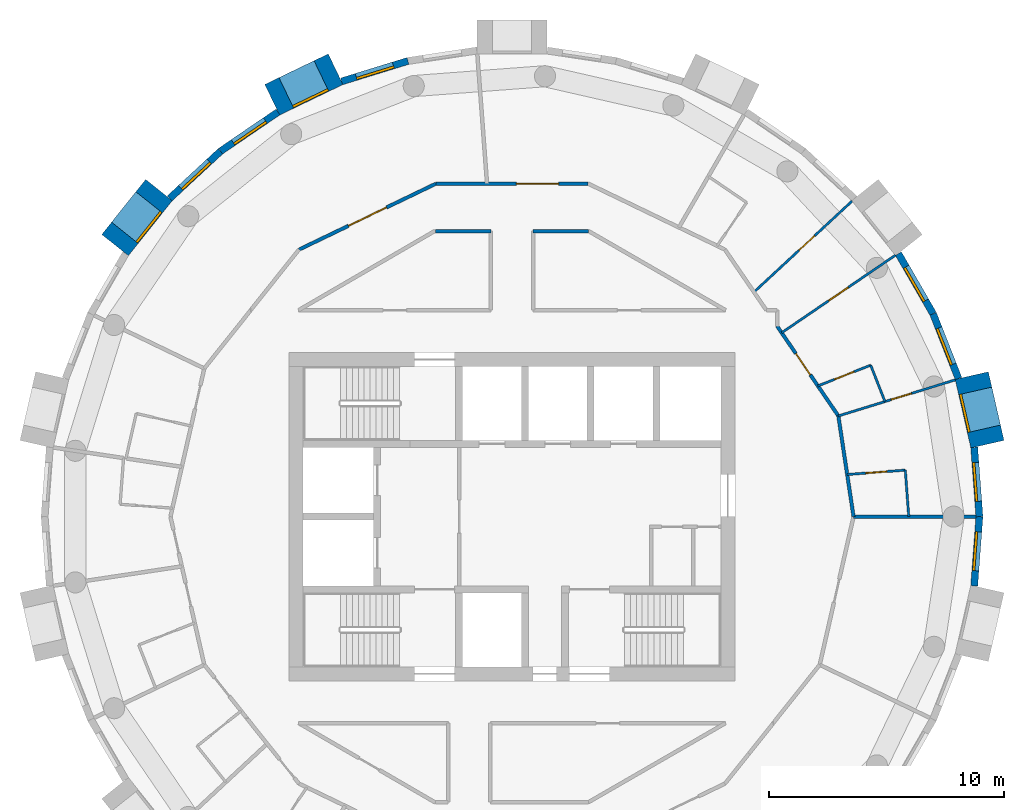
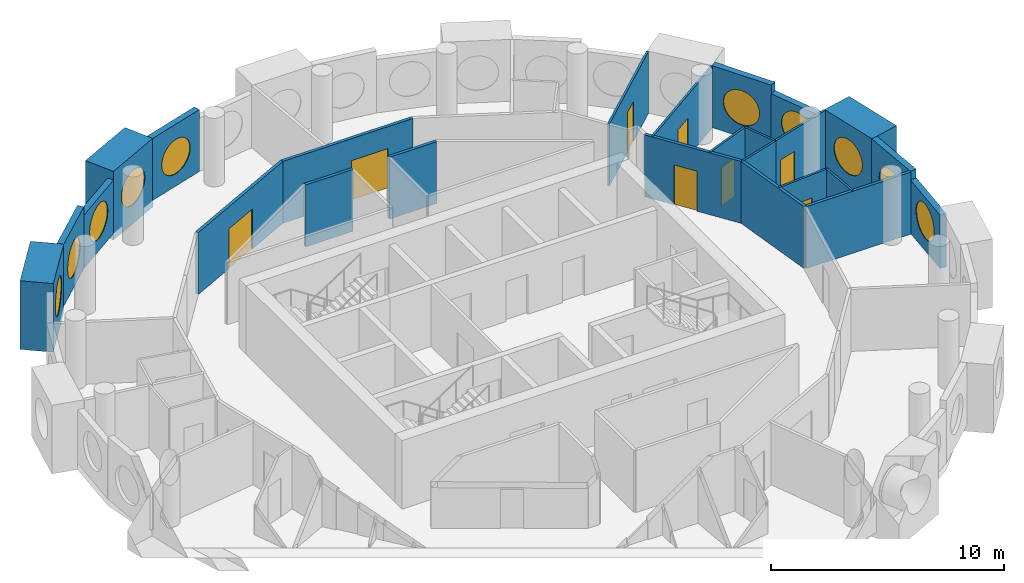
# One storey, part 9 of 12: 25 walls, 10 windows, 8 doors, 18 openings.
"""IFC4 building model written with IfcOpenShell, lengths in metres."""

from ifc_helpers import new_model, si_unit, direction, frame, frame_2d, origin, origin_2d, place, context, subcontext, project, spatial, rectangle, circle, extrude, material, layer, layer_set, type_object, element, fill, save


model = new_model("IFC4")

# Units and contexts
model_context = context("Model", 3, precision=1e-05, world=origin(), true_north=direction((0.0, 1.0)))
body_context = subcontext(model_context, "Body", "Model", "MODEL_VIEW")
ifc_project = project(units=[si_unit("LENGTHUNIT", "METRE"), si_unit("AREAUNIT", "SQUARE_METRE"), si_unit("VOLUMEUNIT", "CUBIC_METRE"), si_unit("PLANEANGLEUNIT", "RADIAN"), si_unit("MASSUNIT", "GRAM", prefix="KILO")], contexts=[model_context])

# Site, building, storey
site_placement = place(None, origin())
site = spatial("IfcSite", under=ifc_project, at=site_placement, CompositionType="ELEMENT")
building_placement = place(site_placement, origin())
building = spatial("IfcBuilding", under=site, at=building_placement, Name="Tracery Tower", CompositionType="ELEMENT")
storey_placement = place(building_placement, frame((0.0, 0.0, 287.39990234375)))
storey = spatial("IfcBuildingStorey", under=building, at=storey_placement, Name="L74", CompositionType="ELEMENT", Elevation=287.39990234375)

# Wall, opening, window
ifc_material_1 = material(Name="Precast concrete C50/60", Category="concrete")
ifc_layer_1 = layer(ifc_material_1, 1.449951171875)
ifc_layer_set_1 = layer_set([ifc_layer_1], Name="Deep-set bay unit 3000 x 3600, slab edge 350")
wall_type_1 = type_object("IfcWallType", Name="Deep-set bay unit 3000 x 3600, slab edge 350", PredefinedType="ELEMENTEDWALL", material=ifc_layer_set_1)
wall_1_placement = place(storey_placement, frame((20.262451171875, 3.086181640625, -0.349853515625), z_axis=(0.0, 0.0, 1.0), x_axis=(-0.222570682856, 0.974916555985, 0.0)))
wall_1 = element("IfcWall", 1, at=wall_1_placement, inside=storey, type_object=wall_type_1, Name="Deep-set bay unit 2 at L74", PredefinedType="ELEMENTEDWALL", context=body_context, shape_type="SweptSolid", body=[
    extrude(rectangle(XDim=3.0, YDim=1.449951171875, at=frame_2d((1.5, 0.0))), origin(), (0.0, 0.0, 1.0), 3.599853515625),
])
opening_1_placement = place(wall_1_placement, frame((1.5, 0.0, 1.89990234375)))
opening_1 = element("IfcOpeningElement", 2, at=opening_1_placement, cuts=wall_1, Name="Opening WN1", PredefinedType="OPENING", context=body_context, shape_type="SweptSolid", body=[
    extrude(circle(Radius=0.9000244140625, at=origin_2d()), frame((0.0, 0.73486328125, 0.0), z_axis=(0.0, -1.0, 0.0), x_axis=(1.0, 0.0, 0.0)), (0.0, 0.0, 1.0), 1.469970703125),
])
ifc_material_2 = material(Name="Aluminium frame with tinted double glazing", Category="aluminium")
window_type = type_object("IfcWindowType", Name="Round window 1800", PartitioningType="SINGLE_PANEL", PredefinedType="WINDOW", material=ifc_material_2)
window_1_placement = place(opening_1_placement, origin())
window_1 = element("IfcWindow", 3, at=window_1_placement, inside=storey, type_object=window_type, Name="Round window 2 at L74", OverallHeight=1.800048828125, OverallWidth=1.800048828125, PartitioningType="SINGLE_PANEL", PredefinedType="WINDOW", context=body_context, shape_type="SweptSolid", body=[
    extrude(circle(Radius=0.9000244140625, at=origin_2d()), frame((0.0, 0.69482421875, 0.0), z_axis=(0.0, -1.0, 0.0), x_axis=(1.0, 0.0, 0.0)), (0.0, 0.0, 1.0), 0.10009765625),
])
fill(opening_1, window_1)

wall_2_placement = place(storey_placement, frame((-7.517578125, 19.067626953125, -0.349853515625), z_axis=(0.0, 0.0, 1.0), x_axis=(-0.900953362039, -0.433915935904, 0.0)))
wall_2 = element("IfcWall", 4, at=wall_2_placement, inside=storey, type_object=wall_type_1, Name="Deep-set bay unit 14 at L74", PredefinedType="ELEMENTEDWALL", context=body_context, shape_type="SweptSolid", body=[
    extrude(rectangle(XDim=3.0, YDim=1.449951171875, at=frame_2d((1.5, 0.0))), origin(), (0.0, 0.0, 1.0), 3.599853515625),
])
opening_2_placement = place(wall_2_placement, frame((1.5, 0.0, 1.89990234375)))
opening_2 = element("IfcOpeningElement", 5, at=opening_2_placement, cuts=wall_2, Name="Opening WN1", PredefinedType="OPENING", context=body_context, shape_type="SweptSolid", body=[
    extrude(circle(Radius=0.9000244140625, at=origin_2d()), frame((0.0, 0.73486328125, 0.0), z_axis=(0.0, -1.0, 0.0), x_axis=(1.0, 0.0, 0.0)), (0.0, 0.0, 1.0), 1.469970703125),
])
window_2_placement = place(opening_2_placement, origin())
window_2 = element("IfcWindow", 6, at=window_2_placement, inside=storey, type_object=window_type, Name="Round window 14 at L74", OverallHeight=1.800048828125, OverallWidth=1.800048828125, PartitioningType="SINGLE_PANEL", PredefinedType="WINDOW", context=body_context, shape_type="SweptSolid", body=[
    extrude(circle(Radius=0.9000244140625, at=origin_2d()), frame((0.0, 0.69482421875, 0.0), z_axis=(0.0, -1.0, 0.0), x_axis=(1.0, 0.0, 0.0)), (0.0, 0.0, 1.0), 0.10009765625),
])
fill(opening_2, window_2)

wall_3_placement = place(storey_placement, frame((-15.046142578125, 13.91748046875, -0.349853515625), z_axis=(0.0, 0.0, 1.0), x_axis=(-0.623523286312, -0.781804778335, 0.0)))
wall_3 = element("IfcWall", 7, at=wall_3_placement, inside=storey, type_object=wall_type_1, Name="Deep-set bay unit 17 at L74", PredefinedType="ELEMENTEDWALL", context=body_context, shape_type="SweptSolid", body=[
    extrude(rectangle(XDim=3.0, YDim=1.449951171875, at=frame_2d((1.5, 0.0))), origin(), (0.0, 0.0, 1.0), 3.599853515625),
])
opening_3_placement = place(wall_3_placement, frame((1.5, 0.0, 1.89990234375)))
opening_3 = element("IfcOpeningElement", 8, at=opening_3_placement, cuts=wall_3, Name="Opening WN1", PredefinedType="OPENING", context=body_context, shape_type="SweptSolid", body=[
    extrude(circle(Radius=0.9000244140625, at=origin_2d()), frame((0.0, 0.73486328125, 0.0), z_axis=(0.0, -1.0, 0.0), x_axis=(1.0, 0.0, 0.0)), (0.0, 0.0, 1.0), 1.469970703125),
])
window_3_placement = place(opening_3_placement, origin())
window_3 = element("IfcWindow", 9, at=window_3_placement, inside=storey, type_object=window_type, Name="Round window 17 at L74", OverallHeight=1.800048828125, OverallWidth=1.800048828125, PartitioningType="SINGLE_PANEL", PredefinedType="WINDOW", context=body_context, shape_type="SweptSolid", body=[
    extrude(circle(Radius=0.9000244140625, at=origin_2d()), frame((0.0, 0.69482421875, 0.0), z_axis=(0.0, -1.0, 0.0), x_axis=(1.0, 0.0, 0.0)), (0.0, 0.0, 1.0), 0.10009765625),
])
fill(opening_3, window_3)

ifc_material_3 = material(Name="Precast concrete C50/60", Category="concrete")
ifc_layer_2 = layer(ifc_material_3, 0.300048828125)
ifc_layer_set_2 = layer_set([ifc_layer_2], Name="Facade panel 3000 x 2800")
wall_type_2 = type_object("IfcWallType", Name="Facade panel 3000 x 2800", PredefinedType="SOLIDWALL", material=ifc_layer_set_2)
wall_4_placement = place(storey_placement, frame((19.03125, 5.88623046875, 0.0), z_axis=(0.0, 0.0, 1.0), x_axis=(-0.365343821297, 0.930872650925, 0.0)))
wall_4 = element("IfcWall", 10, at=wall_4_placement, inside=storey, type_object=wall_type_2, Name="Facade panel 3 at L74", PredefinedType="SOLIDWALL", context=body_context, shape_type="SweptSolid", body=[
    extrude(rectangle(XDim=2.96240234375, YDim=0.300048828125, at=frame_2d((1.481201171875, 0.0))), origin(), (0.0, 0.0, 1.0), 2.800048828125),
])
opening_4_placement = place(wall_4_placement, frame((1.48095703125, 0.0, 1.5498046875)))
opening_4 = element("IfcOpeningElement", 11, at=opening_4_placement, cuts=wall_4, Name="Opening WN1", PredefinedType="OPENING", context=body_context, shape_type="SweptSolid", body=[
    extrude(circle(Radius=0.9000244140625, at=origin_2d()), frame((0.0, 0.159912109375, 0.0), z_axis=(0.0, -1.0, 0.0), x_axis=(1.0, 0.0, 0.0)), (0.0, 0.0, 1.0), 0.320068359375),
])
window_4_placement = place(opening_4_placement, origin())
window_4 = element("IfcWindow", 12, at=window_4_placement, inside=storey, type_object=window_type, Name="Round window 3 at L74", OverallHeight=1.800048828125, OverallWidth=1.800048828125, PartitioningType="SINGLE_PANEL", PredefinedType="WINDOW", context=body_context, shape_type="SweptSolid", body=[
    extrude(circle(Radius=0.9000244140625, at=origin_2d()), frame((0.0, 0.1201171875, 0.0), z_axis=(0.0, -1.0, 0.0), x_axis=(1.0, 0.0, 0.0)), (0.0, 0.0, 1.0), 0.10009765625),
])
fill(opening_4, window_4)

wall_5_placement = place(storey_placement, frame((-9.9736328125, 17.244140625, 0.0), z_axis=(0.0, 0.0, 1.0), x_axis=(-0.826236061068, -0.563324037646, 0.0)))
wall_5 = element("IfcWall", 13, at=wall_5_placement, inside=storey, type_object=wall_type_2, Name="Facade panel 15 at L74", PredefinedType="SOLIDWALL", context=body_context, shape_type="SweptSolid", body=[
    extrude(rectangle(XDim=2.962158203125, YDim=0.300048828125, at=frame_2d((1.48095703125, 0.0))), origin(), (0.0, 0.0, 1.0), 2.800048828125),
])
opening_5_placement = place(wall_5_placement, frame((1.48095703125, 0.0, 1.5498046875)))
opening_5 = element("IfcOpeningElement", 14, at=opening_5_placement, cuts=wall_5, Name="Opening WN1", PredefinedType="OPENING", context=body_context, shape_type="SweptSolid", body=[
    extrude(circle(Radius=0.9000244140625, at=origin_2d()), frame((0.0, 0.159912109375, 0.0), z_axis=(0.0, -1.0, 0.0), x_axis=(1.0, 0.0, 0.0)), (0.0, 0.0, 1.0), 0.320068359375),
])
window_5_placement = place(opening_5_placement, origin())
window_5 = element("IfcWindow", 15, at=window_5_placement, inside=storey, type_object=window_type, Name="Round window 15 at L74", OverallHeight=1.800048828125, OverallWidth=1.800048828125, PartitioningType="SINGLE_PANEL", PredefinedType="WINDOW", context=body_context, shape_type="SweptSolid", body=[
    extrude(circle(Radius=0.9000244140625, at=origin_2d()), frame((0.0, 0.1201171875, 0.0), z_axis=(0.0, -1.0, 0.0), x_axis=(1.0, 0.0, 0.0)), (0.0, 0.0, 1.0), 0.10009765625),
])
fill(opening_5, window_5)

wall_6_placement = place(storey_placement, frame((19.700439453125, -2.953857421875, 0.0), z_axis=(0.0, 0.0, 1.0), x_axis=(0.074755115547, 0.997201921729, 0.0)))
wall_6 = element("IfcWall", 16, at=wall_6_placement, inside=storey, type_object=wall_type_2, Name="Facade panel 42 at L74", PredefinedType="SOLIDWALL", context=body_context, shape_type="SweptSolid", body=[
    extrude(rectangle(XDim=2.962158203125, YDim=0.300048828125, at=frame_2d((1.48095703125, 0.0))), origin(), (0.0, 0.0, 1.0), 2.800048828125),
])
opening_6_placement = place(wall_6_placement, frame((1.48095703125, 0.0, 1.5498046875)))
opening_6 = element("IfcOpeningElement", 17, at=opening_6_placement, cuts=wall_6, Name="Opening WN1", PredefinedType="OPENING", context=body_context, shape_type="SweptSolid", body=[
    extrude(circle(Radius=0.9000244140625, at=origin_2d()), frame((0.0, 0.159912109375, 0.0), z_axis=(0.0, -1.0, 0.0), x_axis=(1.0, 0.0, 0.0)), (0.0, 0.0, 1.0), 0.320068359375),
])
window_6_placement = place(opening_6_placement, origin())
window_6 = element("IfcWindow", 18, at=window_6_placement, inside=storey, type_object=window_type, Name="Round window 42 at L74", OverallHeight=1.800048828125, OverallWidth=1.800048828125, PartitioningType="SINGLE_PANEL", PredefinedType="WINDOW", context=body_context, shape_type="SweptSolid", body=[
    extrude(circle(Radius=0.9000244140625, at=origin_2d()), frame((0.0, 0.1201171875, 0.0), z_axis=(0.0, -1.0, 0.0), x_axis=(1.0, 0.0, 0.0)), (0.0, 0.0, 1.0), 0.10009765625),
])
fill(opening_6, window_6)

ifc_material_4 = material(Name="Precast concrete C50/60", Category="concrete")
ifc_layer_3 = layer(ifc_material_4, 0.300048828125)
ifc_layer_set_3 = layer_set([ifc_layer_3], Name="Facade panel 3000 x 3250")
wall_type_3 = type_object("IfcWallType", Name="Facade panel 3000 x 3250", PredefinedType="SOLIDWALL", material=ifc_layer_set_3)
wall_7_placement = place(storey_placement, frame((19.921875, 0.0, 0.0), z_axis=(0.0, 0.0, 1.0), x_axis=(-0.074755115547, 0.997201921729, 0.0)))
wall_7 = element("IfcWall", 19, at=wall_7_placement, inside=storey, type_object=wall_type_3, Name="Facade panel 1 at L74", PredefinedType="SOLIDWALL", context=body_context, shape_type="SweptSolid", body=[
    extrude(rectangle(XDim=2.962158203125, YDim=0.300048828125, at=frame_2d((1.48095703125, 0.0))), origin(), (0.0, 0.0, 1.0), 3.25),
])
opening_7_placement = place(wall_7_placement, frame((1.48095703125, 0.0, 1.5498046875)))
opening_7 = element("IfcOpeningElement", 20, at=opening_7_placement, cuts=wall_7, Name="Opening WN1", PredefinedType="OPENING", context=body_context, shape_type="SweptSolid", body=[
    extrude(circle(Radius=0.9000244140625, at=origin_2d()), frame((0.0, 0.159912109375, 0.0), z_axis=(0.0, -1.0, 0.0), x_axis=(1.0, 0.0, 0.0)), (0.0, 0.0, 1.0), 0.320068359375),
])
window_7_placement = place(opening_7_placement, origin())
window_7 = element("IfcWindow", 21, at=window_7_placement, inside=storey, type_object=window_type, Name="Round window 1 at L74", OverallHeight=1.800048828125, OverallWidth=1.800048828125, PartitioningType="SINGLE_PANEL", PredefinedType="WINDOW", context=body_context, shape_type="SweptSolid", body=[
    extrude(circle(Radius=0.9000244140625, at=origin_2d()), frame((0.0, 0.1201171875, 0.0), z_axis=(0.0, -1.0, 0.0), x_axis=(1.0, 0.0, 0.0)), (0.0, 0.0, 1.0), 0.10009765625),
])
fill(opening_7, window_7)

wall_8_placement = place(storey_placement, frame((17.948974609375, 8.643798828125, 0.0), z_axis=(0.0, 0.0, 1.0), x_axis=(-0.500012570604, 0.866018146021, 0.0)))
wall_8 = element("IfcWall", 22, at=wall_8_placement, inside=storey, type_object=wall_type_3, Name="Facade panel 4 at L74", PredefinedType="SOLIDWALL", context=body_context, shape_type="SweptSolid", body=[
    extrude(rectangle(XDim=2.96240234375, YDim=0.300048828125, at=frame_2d((1.481201171875, 0.0))), origin(), (0.0, 0.0, 1.0), 3.25),
])
opening_8_placement = place(wall_8_placement, frame((1.48095703125, 0.0, 1.5498046875)))
opening_8 = element("IfcOpeningElement", 23, at=opening_8_placement, cuts=wall_8, Name="Opening WN1", PredefinedType="OPENING", context=body_context, shape_type="SweptSolid", body=[
    extrude(circle(Radius=0.9000244140625, at=origin_2d()), frame((0.0, 0.159912109375, 0.0), z_axis=(0.0, -1.0, 0.0), x_axis=(1.0, 0.0, 0.0)), (0.0, 0.0, 1.0), 0.320068359375),
])
window_8_placement = place(opening_8_placement, origin())
window_8 = element("IfcWindow", 24, at=window_8_placement, inside=storey, type_object=window_type, Name="Round window 4 at L74", OverallHeight=1.800048828125, OverallWidth=1.800048828125, PartitioningType="SINGLE_PANEL", PredefinedType="WINDOW", context=body_context, shape_type="SweptSolid", body=[
    extrude(circle(Radius=0.9000244140625, at=origin_2d()), frame((0.0, 0.1201171875, 0.0), z_axis=(0.0, -1.0, 0.0), x_axis=(1.0, 0.0, 0.0)), (0.0, 0.0, 1.0), 0.10009765625),
])
fill(opening_8, window_8)

wall_9_placement = place(storey_placement, frame((-4.43310546875, 19.42236328125, 0.0), z_axis=(0.0, 0.0, 1.0), x_axis=(-0.955555982805, -0.29480970765, 0.0)))
wall_9 = element("IfcWall", 25, at=wall_9_placement, inside=storey, type_object=wall_type_3, Name="Facade panel 13 at L74", PredefinedType="SOLIDWALL", context=body_context, shape_type="SweptSolid", body=[
    extrude(rectangle(XDim=2.962158203125, YDim=0.300048828125, at=frame_2d((1.48095703125, 0.0))), origin(), (0.0, 0.0, 1.0), 3.25),
])
opening_9_placement = place(wall_9_placement, frame((1.48095703125, 0.0, 1.5498046875)))
opening_9 = element("IfcOpeningElement", 26, at=opening_9_placement, cuts=wall_9, Name="Opening WN1", PredefinedType="OPENING", context=body_context, shape_type="SweptSolid", body=[
    extrude(circle(Radius=0.9000244140625, at=origin_2d()), frame((0.0, 0.159912109375, 0.0), z_axis=(0.0, -1.0, 0.0), x_axis=(1.0, 0.0, 0.0)), (0.0, 0.0, 1.0), 0.320068359375),
])
window_9_placement = place(opening_9_placement, origin())
window_9 = element("IfcWindow", 27, at=window_9_placement, inside=storey, type_object=window_type, Name="Round window 13 at L74", OverallHeight=1.800048828125, OverallWidth=1.800048828125, PartitioningType="SINGLE_PANEL", PredefinedType="WINDOW", context=body_context, shape_type="SweptSolid", body=[
    extrude(circle(Radius=0.9000244140625, at=origin_2d()), frame((0.0, 0.1201171875, 0.0), z_axis=(0.0, -1.0, 0.0), x_axis=(1.0, 0.0, 0.0)), (0.0, 0.0, 1.0), 0.10009765625),
])
fill(opening_9, window_9)

wall_10_placement = place(storey_placement, frame((-12.421142578125, 15.575439453125, 0.0), z_axis=(0.0, 0.0, 1.0), x_axis=(-0.733028283666, -0.680198158882, 0.0)))
wall_10 = element("IfcWall", 28, at=wall_10_placement, inside=storey, type_object=wall_type_3, Name="Facade panel 16 at L74", PredefinedType="SOLIDWALL", context=body_context, shape_type="SweptSolid", body=[
    extrude(rectangle(XDim=2.962158203125, YDim=0.300048828125, at=frame_2d((1.48095703125, 0.0))), origin(), (0.0, 0.0, 1.0), 3.25),
])
opening_10_placement = place(wall_10_placement, frame((1.48095703125, 0.0, 1.5498046875)))
opening_10 = element("IfcOpeningElement", 29, at=opening_10_placement, cuts=wall_10, Name="Opening WN1", PredefinedType="OPENING", context=body_context, shape_type="SweptSolid", body=[
    extrude(circle(Radius=0.9000244140625, at=origin_2d()), frame((0.0, 0.159912109375, 0.0), z_axis=(0.0, -1.0, 0.0), x_axis=(1.0, 0.0, 0.0)), (0.0, 0.0, 1.0), 0.320068359375),
])
window_10_placement = place(opening_10_placement, origin())
window_10 = element("IfcWindow", 30, at=window_10_placement, inside=storey, type_object=window_type, Name="Round window 16 at L74", OverallHeight=1.800048828125, OverallWidth=1.800048828125, PartitioningType="SINGLE_PANEL", PredefinedType="WINDOW", context=body_context, shape_type="SweptSolid", body=[
    extrude(circle(Radius=0.9000244140625, at=origin_2d()), frame((0.0, 0.1201171875, 0.0), z_axis=(0.0, -1.0, 0.0), x_axis=(1.0, 0.0, 0.0)), (0.0, 0.0, 1.0), 0.10009765625),
])
fill(opening_10, window_10)

# Wall, opening, door
ifc_material_5 = material(Name="Plasterboard on steel studs", Category="steel")
ifc_layer_4 = layer(ifc_material_5, 0.10009765625)
ifc_layer_set_4 = layer_set([ifc_layer_4], Name="Partition 100 stud")
wall_type_4 = type_object("IfcWallType", Name="Partition 100 stud", PredefinedType="PARTITIONING", material=ifc_layer_set_4)
wall_11_placement = place(storey_placement, frame((11.492919921875, 7.8359375, 0.0), z_axis=(0.0, 0.0, 1.0), x_axis=(0.826231748746, 0.563330362544, 0.0)))
wall_11 = element("IfcWall", 31, at=wall_11_placement, inside=storey, type_object=wall_type_4, Name="Stud partition RC6-046", PredefinedType="PARTITIONING", context=body_context, shape_type="SweptSolid", body=[
    extrude(rectangle(XDim=5.861572265625, YDim=0.10009765625, at=frame_2d((2.9306640625, 0.0))), origin(), (0.0, 0.0, 1.0), 3.25),
])
opening_11_placement = place(wall_11_placement, frame((2.430908203125, 0.0, 0.0)))
opening_11 = element("IfcOpeningElement", 32, at=opening_11_placement, cuts=wall_11, Name="Opening RC6-06", PredefinedType="OPENING", context=body_context, shape_type="SweptSolid", body=[
    extrude(rectangle(XDim=1.0, YDim=2.0400390625, at=frame_2d((0.5, 1.02001953125))), frame((0.0, 0.050048828125, 0.0), z_axis=(0.0, -1.0, 0.0), x_axis=(1.0, 0.0, 0.0)), (0.0, 0.0, 1.0), 0.10009765625),
])
ifc_material_6 = material(Name="Timber door leaf", Category="wood")
door_type_1 = type_object("IfcDoorType", Name="Door communal room 1000", OperationType="NOTDEFINED", PredefinedType="DOOR", material=ifc_material_6)
door_1_placement = place(opening_11_placement, origin())
door_1 = element("IfcDoor", 33, at=door_1_placement, inside=storey, type_object=door_type_1, Name="Communal room door RC6-06", OperationType="SINGLE_SWING_RIGHT", OverallHeight=2.0400390625, OverallWidth=1.0, PredefinedType="DOOR", context=body_context, shape_type="SweptSolid", body=[
    extrude(rectangle(XDim=1.0, YDim=2.0400390625, at=frame_2d((0.5, 1.02001953125))), frame((0.0, 0.02490234375, 0.0), z_axis=(0.0, -1.0, 0.0), x_axis=(1.0, 0.0, 0.0)), (0.0, 0.0, 1.0), 0.050048828125),
])
fill(opening_11, door_1)

wall_12_placement = place(storey_placement, frame((15.89599609375, 4.904052734375, 0.0), z_axis=(0.0, 0.0, 1.0), x_axis=(0.955630770746, 0.294567190983, 0.0)))
wall_12 = element("IfcWall", 34, at=wall_12_placement, inside=storey, type_object=wall_type_4, Name="Stud partition RC6-049", PredefinedType="PARTITIONING", context=body_context, shape_type="SweptSolid", body=[
    extrude(rectangle(XDim=3.13623046875, YDim=0.10009765625, at=frame_2d((1.568115234375, 0.0))), origin(), (0.0, 0.0, 1.0), 3.25),
])
opening_12_placement = place(wall_12_placement, frame((0.276123046875, 0.0, 0.0)))
opening_12 = element("IfcOpeningElement", 35, at=opening_12_placement, cuts=wall_12, Name="Opening RC6-08", PredefinedType="OPENING", context=body_context, shape_type="SweptSolid", body=[
    extrude(rectangle(XDim=0.89990234375, YDim=2.10009765625, at=frame_2d((0.449951171875, 1.050048828125))), frame((0.0, 0.050048828125, 0.0), z_axis=(0.0, -1.0, 0.0), x_axis=(1.0, 0.0, 0.0)), (0.0, 0.0, 1.0), 0.10009765625),
])
ifc_material_7 = material(Name="Timber door leaf", Category="wood")
door_type_2 = type_object("IfcDoorType", Name="Door bedroom 900", OperationType="NOTDEFINED", PredefinedType="DOOR", material=ifc_material_7)
door_2_placement = place(opening_12_placement, origin())
door_2 = element("IfcDoor", 36, at=door_2_placement, inside=storey, type_object=door_type_2, Name="Bedroom door RC6-08", OperationType="SINGLE_SWING_RIGHT", OverallHeight=2.10009765625, OverallWidth=0.89990234375, PredefinedType="DOOR", context=body_context, shape_type="SweptSolid", body=[
    extrude(rectangle(XDim=0.89990234375, YDim=2.10009765625, at=frame_2d((0.449951171875, 1.050048828125))), frame((0.0, 0.02490234375, 0.0), z_axis=(0.0, -1.0, 0.0), x_axis=(1.0, 0.0, 0.0)), (0.0, 0.0, 1.0), 0.050048828125),
])
fill(opening_12, door_2)

wall_13_placement = place(storey_placement, frame((10.31201171875, 9.568115234375, 0.0), z_axis=(0.0, 0.0, 1.0), x_axis=(0.733002312561, 0.680226146057, 0.0)))
wall_13 = element("IfcWall", 37, at=wall_13_placement, inside=storey, type_object=wall_type_4, Name="Stud partition RC6-050", PredefinedType="PARTITIONING", context=body_context, shape_type="SweptSolid", body=[
    extrude(rectangle(XDim=5.703857421875, YDim=0.10009765625, at=frame_2d((2.85205078125, 0.0))), origin(), (0.0, 0.0, 1.0), 3.25),
])
opening_13_placement = place(wall_13_placement, frame((2.6220703125, 0.0, 0.0)))
opening_13 = element("IfcOpeningElement", 38, at=opening_13_placement, cuts=wall_13, Name="Opening RC6-10", PredefinedType="OPENING", context=body_context, shape_type="SweptSolid", body=[
    extrude(rectangle(XDim=0.89990234375, YDim=2.10009765625, at=frame_2d((0.449951171875, 1.050048828125))), frame((0.0, 0.050048828125, 0.0), z_axis=(0.0, -1.0, 0.0), x_axis=(1.0, 0.0, 0.0)), (0.0, 0.0, 1.0), 0.10009765625),
])
door_3_placement = place(opening_13_placement, origin())
door_3 = element("IfcDoor", 39, at=door_3_placement, inside=storey, type_object=door_type_2, Name="Bedroom door RC6-10", OperationType="SINGLE_SWING_RIGHT", OverallHeight=2.10009765625, OverallWidth=0.89990234375, PredefinedType="DOOR", context=body_context, shape_type="SweptSolid", body=[
    extrude(rectangle(XDim=0.89990234375, YDim=2.10009765625, at=frame_2d((0.449951171875, 1.050048828125))), frame((0.0, 0.02490234375, 0.0), z_axis=(0.0, -1.0, 0.0), x_axis=(1.0, 0.0, 0.0)), (0.0, 0.0, 1.0), 0.050048828125),
])
fill(opening_13, door_3)

# Wall
ifc_material_8 = material(Name="Plasterboard on steel studs", Category="steel")
ifc_layer_5 = layer(ifc_material_8, 0.10009765625)
ifc_layer_set_5 = layer_set([ifc_layer_5], Name="Partition 100 wet wall")
wall_type_5 = type_object("IfcWallType", Name="Partition 100 wet wall", PredefinedType="PARTITIONING", material=ifc_layer_set_5)
wall_14_placement = place(storey_placement, frame((15.287109375, 6.4541015625, 0.0), z_axis=(0.0, 0.0, 1.0), x_axis=(0.365620622357, -0.930763966056, 0.0)))
element("IfcWall", 40, at=wall_14_placement, inside=storey, type_object=wall_type_5, Name="Wet wall RC6-047", PredefinedType="PARTITIONING", context=body_context, shape_type="SweptSolid", body=[
    extrude(rectangle(XDim=1.665283203125, YDim=0.10009765625, at=frame_2d((0.83251953125, 0.0))), origin(), (0.0, 0.0, 1.0), 3.25),
])

# Wall, opening, door
wall_15_placement = place(storey_placement, frame((13.037109375, 5.571044921875, 0.0), z_axis=(0.0, 0.0, 1.0), x_axis=(0.930874211086, 0.365339846083, 0.0)))
wall_15 = element("IfcWall", 41, at=wall_15_placement, inside=storey, type_object=wall_type_5, Name="Wet wall RC6-048", PredefinedType="PARTITIONING", context=body_context, shape_type="SweptSolid", body=[
    extrude(rectangle(XDim=2.4169921875, YDim=0.10009765625, at=frame_2d((1.20849609375, 0.0))), origin(), (0.0, 0.0, 1.0), 3.25),
])
opening_14_placement = place(wall_15_placement, frame((0.758056640625, 0.0, 0.0)))
opening_14 = element("IfcOpeningElement", 42, at=opening_14_placement, cuts=wall_15, Name="Opening RC6-07", PredefinedType="OPENING", context=body_context, shape_type="SweptSolid", body=[
    extrude(rectangle(XDim=0.89990234375, YDim=2.0, at=frame_2d((0.449951171875, 1.0))), frame((0.0, 0.050048828125, 0.0), z_axis=(0.0, -1.0, 0.0), x_axis=(1.0, 0.0, 0.0)), (0.0, 0.0, 1.0), 0.10009765625),
])
ifc_material_9 = material(Name="Timber door leaf", Category="wood")
door_type_3 = type_object("IfcDoorType", Name="Door shower room 900", OperationType="NOTDEFINED", PredefinedType="DOOR", material=ifc_material_9)
door_4_placement = place(opening_14_placement, origin())
door_4 = element("IfcDoor", 43, at=door_4_placement, inside=storey, type_object=door_type_3, Name="Shower room door RC6-07", OperationType="SINGLE_SWING_RIGHT", OverallHeight=2.0, OverallWidth=0.89990234375, PredefinedType="DOOR", context=body_context, shape_type="SweptSolid", body=[
    extrude(rectangle(XDim=0.89990234375, YDim=2.0, at=frame_2d((0.449951171875, 1.0))), frame((0.0, 0.02490234375, 0.0), z_axis=(0.0, -1.0, 0.0), x_axis=(1.0, 0.0, 0.0)), (0.0, 0.0, 1.0), 0.050048828125),
])
fill(opening_14, door_4)

# Walls
wall_16_placement = place(storey_placement, frame((13.909912109375, 4.291015625, 0.0), z_axis=(0.0, 0.0, 1.0), x_axis=(0.955649377322, 0.294506821014, 0.0)))
element("IfcWall", 44, at=wall_16_placement, inside=storey, type_object=wall_type_5, Name="Wet wall RC6-051", PredefinedType="PARTITIONING", context=body_context, shape_type="SweptSolid", body=[
    extrude(rectangle(XDim=2.078369140625, YDim=0.10009765625, at=frame_2d((1.0390625, 0.0))), origin(), (0.0, 0.0, 1.0), 3.25),
])
wall_17_placement = place(storey_placement, frame((16.761962890625, 1.98095703125, 0.0), z_axis=(0.0, 0.0, 1.0), x_axis=(0.074478298815, -0.997222634624, 0.0)))
element("IfcWall", 45, at=wall_17_placement, inside=storey, type_object=wall_type_5, Name="Wet wall RC6-052", PredefinedType="PARTITIONING", context=body_context, shape_type="SweptSolid", body=[
    extrude(rectangle(XDim=1.986572265625, YDim=0.10009765625, at=frame_2d((0.9931640625, 0.0))), origin(), (0.0, 0.0, 1.0), 3.25),
])

# Wall, opening, door
wall_18_placement = place(storey_placement, frame((14.285888671875, 1.794921875, 0.0), z_axis=(0.0, 0.0, 1.0), x_axis=(0.997189401658, 0.074921940846, 0.0)))
wall_18 = element("IfcWall", 46, at=wall_18_placement, inside=storey, type_object=wall_type_5, Name="Wet wall RC6-053", PredefinedType="PARTITIONING", context=body_context, shape_type="SweptSolid", body=[
    extrude(rectangle(XDim=2.483154296875, YDim=0.10009765625, at=frame_2d((1.24169921875, 0.0))), origin(), (0.0, 0.0, 1.0), 3.25),
])
opening_15_placement = place(wall_18_placement, frame((0.7919921875, 0.0, 0.0)))
opening_15 = element("IfcOpeningElement", 47, at=opening_15_placement, cuts=wall_18, Name="Opening RC6-09", PredefinedType="OPENING", context=body_context, shape_type="SweptSolid", body=[
    extrude(rectangle(XDim=0.89990234375, YDim=2.0400390625, at=frame_2d((0.449951171875, 1.02001953125))), frame((0.0, 0.050048828125, 0.0), z_axis=(0.0, -1.0, 0.0), x_axis=(1.0, 0.0, 0.0)), (0.0, 0.0, 1.0), 0.10009765625),
])
ifc_material_10 = material(Name="Timber door leaf", Category="wood")
door_type_4 = type_object("IfcDoorType", Name="Door en-suite 900", OperationType="NOTDEFINED", PredefinedType="DOOR", material=ifc_material_10)
door_5_placement = place(opening_15_placement, origin())
door_5 = element("IfcDoor", 48, at=door_5_placement, inside=storey, type_object=door_type_4, Name="En-suite door RC6-09", OperationType="SINGLE_SWING_LEFT", OverallHeight=2.0400390625, OverallWidth=0.89990234375, PredefinedType="DOOR", context=body_context, shape_type="SweptSolid", body=[
    extrude(rectangle(XDim=0.89990234375, YDim=2.0400390625, at=frame_2d((0.449951171875, 1.02001953125))), frame((0.0, 0.02490234375, 0.0), z_axis=(0.0, -1.0, 0.0), x_axis=(1.0, 0.0, 0.0)), (0.0, 0.0, 1.0), 0.050048828125),
])
fill(opening_15, door_5)

# Wall
ifc_material_11 = material(Name="Plasterboard on steel studs", Category="steel")
ifc_layer_6 = layer(ifc_material_11, 0.14990234375)
ifc_layer_set_6 = layer_set([ifc_layer_6], Name="Partition 150 acoustic unit wall")
wall_type_6 = type_object("IfcWallType", Name="Partition 150 acoustic unit wall", PredefinedType="PARTITIONING", material=ifc_layer_set_6)
wall_19_placement = place(storey_placement, frame((14.556884765625, 0.0, 0.0), z_axis=(0.0, 0.0, 1.0), x_axis=(1.0, 0.0, 0.0)))
element("IfcWall", 49, at=wall_19_placement, inside=storey, type_object=wall_type_6, Name="Unit wall RC6-054", PredefinedType="PARTITIONING", context=body_context, shape_type="SweptSolid", body=[
    extrude(rectangle(XDim=5.214111328125, YDim=0.14990234375, at=frame_2d((2.60693359375, 0.0))), origin(), (0.0, 0.0, 1.0), 3.25),
])

# Wall, opening, door
ifc_material_12 = material(Name="Plasterboard on steel studs", Category="steel")
ifc_layer_7 = layer(ifc_material_12, 0.14990234375)
ifc_layer_set_7 = layer_set([ifc_layer_7], Name="Partition 150 corridor wall")
wall_type_7 = type_object("IfcWallType", Name="Partition 150 corridor wall", PredefinedType="PARTITIONING", material=ifc_layer_set_7)
wall_20_placement = place(storey_placement, frame((11.300048828125, 8.118896484375, 0.0), z_axis=(0.0, 0.0, 1.0), x_axis=(0.56348561488, -0.82612587529, 0.0)))
wall_20 = element("IfcWall", 50, at=wall_20_placement, inside=storey, type_object=wall_type_7, Name="Corridor wall RC6-021", PredefinedType="PARTITIONING", context=body_context, shape_type="SweptSolid", body=[
    extrude(rectangle(XDim=4.633056640625, YDim=0.14990234375, at=frame_2d((2.31640625, 0.0))), origin(), (0.0, 0.0, 1.0), 3.25),
])
opening_16_placement = place(wall_20_placement, frame((1.412841796875, 0.0, 0.0)))
opening_16 = element("IfcOpeningElement", 51, at=opening_16_placement, cuts=wall_20, Name="Opening RC6-05", PredefinedType="OPENING", context=body_context, shape_type="SweptSolid", body=[
    extrude(rectangle(XDim=1.10009765625, YDim=2.10009765625, at=frame_2d((0.550048828125, 1.050048828125))), frame((0.0, 0.074951171875, 0.0), z_axis=(0.0, -1.0, 0.0), x_axis=(1.0, 0.0, 0.0)), (0.0, 0.0, 1.0), 0.14990234375),
])
ifc_material_13 = material(Name="Timber door leaf", Category="wood")
door_type_5 = type_object("IfcDoorType", Name="Door cluster entrance 1100", OperationType="NOTDEFINED", PredefinedType="DOOR", material=ifc_material_13)
door_6_placement = place(opening_16_placement, origin())
door_6 = element("IfcDoor", 52, at=door_6_placement, inside=storey, type_object=door_type_5, Name="Cluster entrance door RC6-05", OperationType="SINGLE_SWING_RIGHT", OverallHeight=2.10009765625, OverallWidth=1.10009765625, PredefinedType="DOOR", context=body_context, shape_type="SweptSolid", body=[
    extrude(rectangle(XDim=1.10009765625, YDim=2.10009765625, at=frame_2d((0.550048828125, 1.050048828125))), frame((0.0, 0.02490234375, 0.0), z_axis=(0.0, -1.0, 0.0), x_axis=(1.0, 0.0, 0.0)), (0.0, 0.0, 1.0), 0.050048828125),
])
fill(opening_16, door_6)

# Walls
wall_21_placement = place(storey_placement, frame((13.909912109375, 4.291015625, 0.0), z_axis=(0.0, 0.0, 1.0), x_axis=(0.149143716951, -0.988815529659, 0.0)))
element("IfcWall", 53, at=wall_21_placement, inside=storey, type_object=wall_type_7, Name="Corridor wall RC6-022", PredefinedType="PARTITIONING", context=body_context, shape_type="SweptSolid", body=[
    extrude(rectangle(XDim=4.339599609375, YDim=0.14990234375, at=frame_2d((2.169921875, 0.0))), origin(), (0.0, 0.0, 1.0), 3.25),
])
for number, where, z_axis, x_axis, name in (
    (54, (-3.260986328125, 12.1708984375, 0.0), (0.0, 0.0, 1.0), (1.0, 0.0, 0.0), "Corridor wall RC6-026"),
    (55, (0.89990234375, 12.1708984375, 0.0), (0.0, 0.0, 1.0), (1.0, 0.0, 0.0), "Corridor wall RC6-028"),
):
    element("IfcWall", number, at=place(storey_placement, frame(where, z_axis=z_axis, x_axis=x_axis)), inside=storey, type_object=wall_type_7, Name=name, PredefinedType="PARTITIONING", context=body_context, shape_type="SweptSolid", body=[
        extrude(rectangle(XDim=2.361083984375, YDim=0.14990234375, at=frame_2d((1.1806640625, 0.0))), origin(), (0.0, 0.0, 1.0), 3.25),
    ])

# Wall, opening, door
wall_22_placement = place(storey_placement, frame((-3.239013671875, 14.19189453125, 0.0), z_axis=(0.0, 0.0, 1.0), x_axis=(1.0, 0.0, 0.0)))
wall_22 = element("IfcWall", 56, at=wall_22_placement, inside=storey, type_object=wall_type_7, Name="Corridor wall RC6-031", PredefinedType="PARTITIONING", context=body_context, shape_type="SweptSolid", body=[
    extrude(rectangle(XDim=6.47802734375, YDim=0.14990234375, at=frame_2d((3.239013671875, 0.0))), origin(), (0.0, 0.0, 1.0), 3.25),
])
opening_17_placement = place(wall_22_placement, frame((3.425048828125, 0.0, 0.0)))
opening_17 = element("IfcOpeningElement", 57, at=opening_17_placement, cuts=wall_22, Name="Opening RC6-12", PredefinedType="OPENING", context=body_context, shape_type="SweptSolid", body=[
    extrude(rectangle(XDim=1.800048828125, YDim=2.10009765625, at=frame_2d((0.89990234375, 1.050048828125))), frame((0.0, 0.074951171875, 0.0), z_axis=(0.0, -1.0, 0.0), x_axis=(1.0, 0.0, 0.0)), (0.0, 0.0, 1.0), 0.14990234375),
])
ifc_material_14 = material(Name="Timber door leaf", Category="wood")
door_type_6 = type_object("IfcDoorType", Name="Door double lounge 1800", OperationType="NOTDEFINED", PredefinedType="DOOR", material=ifc_material_14)
door_7_placement = place(opening_17_placement, origin())
door_7 = element("IfcDoor", 58, at=door_7_placement, inside=storey, type_object=door_type_6, Name="Double lounge door RC6-12", OperationType="DOUBLE_DOOR_SINGLE_SWING", OverallHeight=2.10009765625, OverallWidth=1.800048828125, PredefinedType="DOOR", context=body_context, shape_type="SweptSolid", body=[
    extrude(rectangle(XDim=1.800048828125, YDim=2.10009765625, at=frame_2d((0.89990234375, 1.050048828125))), frame((0.0, 0.02490234375, 0.0), z_axis=(0.0, -1.0, 0.0), x_axis=(1.0, 0.0, 0.0)), (0.0, 0.0, 1.0), 0.050048828125),
])
fill(opening_17, door_7)

wall_23_placement = place(storey_placement, frame((-9.075927734375, 11.381103515625, 0.0), z_axis=(0.0, 0.0, 1.0), x_axis=(0.900976027191, 0.433868872388, 0.0)))
wall_23 = element("IfcWall", 59, at=wall_23_placement, inside=storey, type_object=wall_type_7, Name="Corridor wall RC6-032", PredefinedType="PARTITIONING", context=body_context, shape_type="SweptSolid", body=[
    extrude(rectangle(XDim=6.478515625, YDim=0.14990234375, at=frame_2d((3.2392578125, 0.0))), origin(), (0.0, 0.0, 1.0), 3.25),
])
opening_18_placement = place(wall_23_placement, frame((2.339111328125, 0.0, 0.0)))
opening_18 = element("IfcOpeningElement", 60, at=opening_18_placement, cuts=wall_23, Name="Opening RC6-13", PredefinedType="OPENING", context=body_context, shape_type="SweptSolid", body=[
    extrude(rectangle(XDim=1.800048828125, YDim=2.10009765625, at=frame_2d((0.89990234375, 1.050048828125))), frame((0.0, 0.074951171875, 0.0), z_axis=(0.0, -1.0, 0.0), x_axis=(1.0, 0.0, 0.0)), (0.0, 0.0, 1.0), 0.14990234375),
])
door_8_placement = place(opening_18_placement, origin())
door_8 = element("IfcDoor", 61, at=door_8_placement, inside=storey, type_object=door_type_6, Name="Double lounge door RC6-13", OperationType="DOUBLE_DOOR_SINGLE_SWING", OverallHeight=2.10009765625, OverallWidth=1.800048828125, PredefinedType="DOOR", context=body_context, shape_type="SweptSolid", body=[
    extrude(rectangle(XDim=1.800048828125, YDim=2.10009765625, at=frame_2d((0.89990234375, 1.050048828125))), frame((0.0, 0.02490234375, 0.0), z_axis=(0.0, -1.0, 0.0), x_axis=(1.0, 0.0, 0.0)), (0.0, 0.0, 1.0), 0.050048828125),
])
fill(opening_18, door_8)

save(model, "model.ifc")
